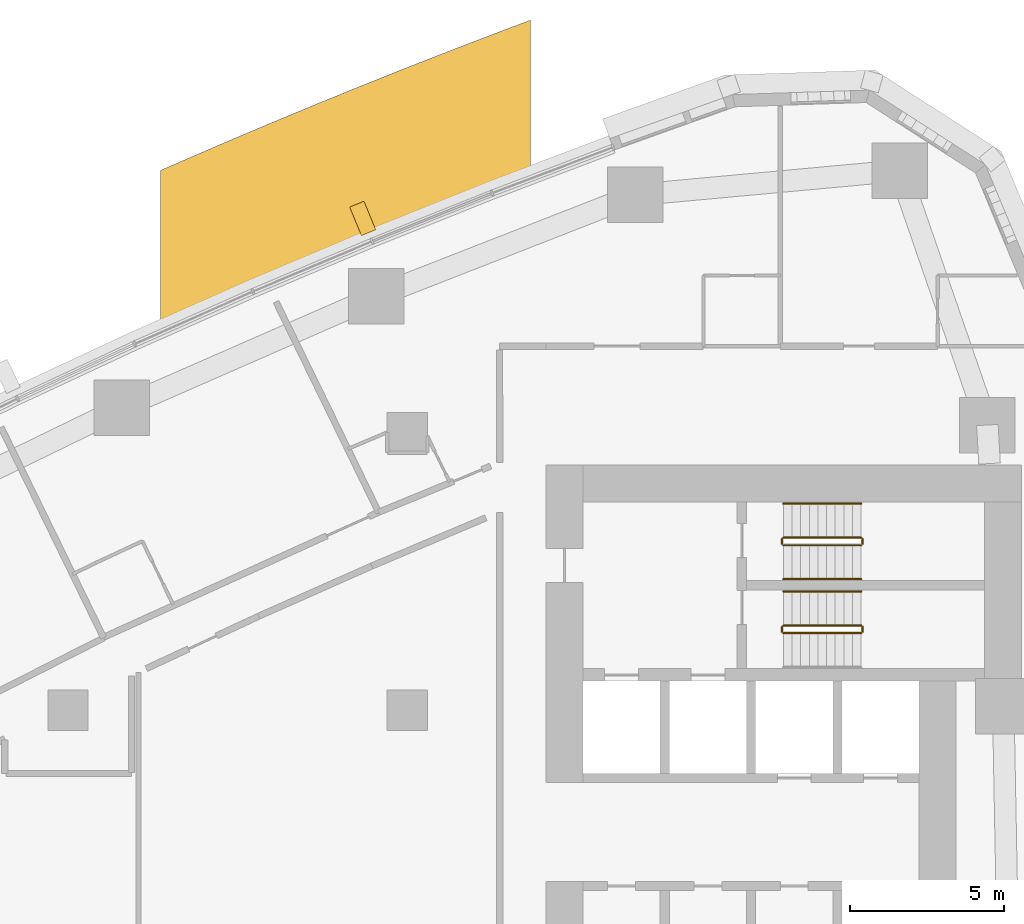
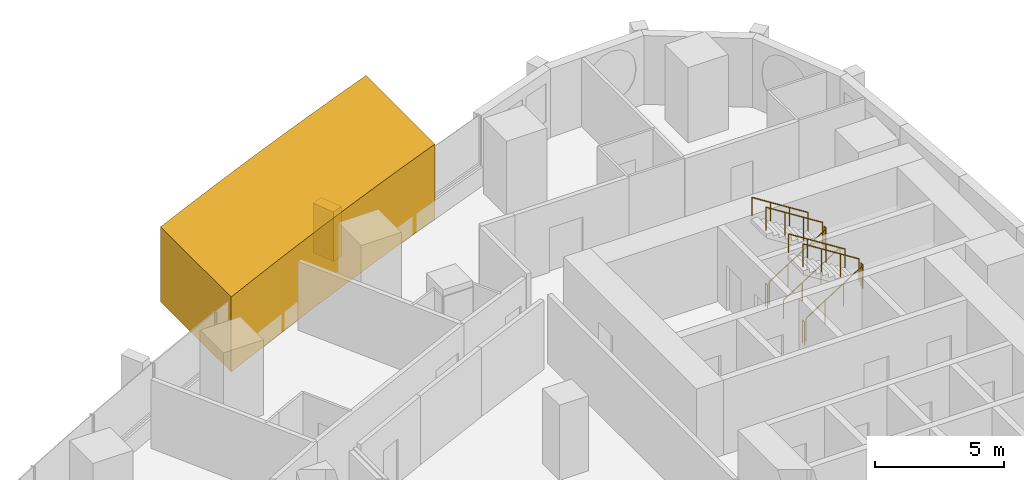
# One storey, part 18 of 19: 11 railings, 2 coverings.
"""IFC4 building model written with IfcOpenShell, lengths in metres."""

from ifc_helpers import new_model, si_unit, direction, frame, frame_2d, origin, origin_2d, place, context, subcontext, project, spatial, polyline, rectangle, circle, outline, extrude, material, layer, layer_set, type_object, element, save


model = new_model("IFC4")

# Units and contexts
model_context = context("Model", 3, precision=1e-05, world=origin(), true_north=direction((0.0, 1.0)))
body_context = subcontext(model_context, "Body", "Model", "MODEL_VIEW")
ifc_project = project(units=[si_unit("LENGTHUNIT", "METRE"), si_unit("AREAUNIT", "SQUARE_METRE"), si_unit("VOLUMEUNIT", "CUBIC_METRE"), si_unit("PLANEANGLEUNIT", "RADIAN"), si_unit("MASSUNIT", "GRAM", prefix="KILO")], contexts=[model_context])

# Site, building, storey
site_placement = place(None, origin())
site = spatial("IfcSite", under=ifc_project, at=site_placement, CompositionType="ELEMENT")
building_placement = place(site_placement, origin())
building = spatial("IfcBuilding", under=site, at=building_placement, Name="Ostrand Prow Hotel Tower", CompositionType="ELEMENT")
storey_placement = place(building_placement, frame((0.0, 0.0, 60.89990234375)))
storey = spatial("IfcBuildingStorey", under=building, at=storey_placement, Name="L13", CompositionType="ELEMENT", Elevation=60.89990234375)

# Coverings
ifc_material_1 = material(Name="Limestone cladding", Category="masonry")
ifc_layer_1 = layer(ifc_material_1, 5.0)
ifc_layer_set_1 = layer_set([ifc_layer_1], Name="Limestone cladding")
covering_type_1 = type_object("IfcCoveringType", Name="Portal jamb pilaster limestone", PredefinedType="CLADDING", material=ifc_layer_set_1)
covering_1_placement = place(storey_placement, origin())
element("IfcCovering", 1, at=covering_1_placement, inside=storey, type_object=covering_type_1, Name="Portal jamb NB L13", PredefinedType="CLADDING", context=body_context, shape_type="SweptSolid", body=[
    extrude(outline(polyline([(37.0, 21.037109375), (38.0, 21.484619140625), (39.0, 21.9267578125), (40.0, 22.363037109375), (41.0, 22.793701171875), (42.0, 23.218505859375), (43.0, 23.637939453125), (44.0, 24.051513671875), (45.0, 24.459716796875), (46.0, 24.862548828125), (47.0, 25.259765625), (48.0, 25.6513671875), (49.0, 26.03759765625), (49.0, 31.384521484375), (48.0, 31.0078125), (47.0, 30.62548828125), (46.0, 30.23828125), (45.0, 29.845703125), (44.0, 29.447509765625), (43.0, 29.044189453125), (42.0, 28.635498046875), (41.0, 28.22119140625), (40.0, 27.801513671875), (39.0, 27.376220703125), (38.0, 26.945556640625), (37.0, 26.50927734375), (37.0, 21.037109375)])), origin(), (0.0, 0.0, 1.0), 3.550048828125),
])
ifc_material_2 = material(Name="Limestone cladding", Category="masonry")
ifc_layer_2 = layer(ifc_material_2, 0.5)
ifc_layer_set_2 = layer_set([ifc_layer_2], Name="Limestone cladding")
covering_type_2 = type_object("IfcCoveringType", Name="Precast stone fin 500x900", PredefinedType="CLADDING", material=ifc_layer_set_2)
covering_2_placement = place(storey_placement, frame((43.74560546875, 24.487548828125, 0.900146484375), z_axis=(0.0, 0.0, 1.0), x_axis=(-0.380590179681, 0.924743810539, 0.0)))
element("IfcCovering", 2, at=covering_2_placement, inside=storey, type_object=covering_type_2, Name="Stone fin N 3", PredefinedType="CLADDING", context=body_context, shape_type="SweptSolid", body=[
    extrude(rectangle(XDim=1.0, YDim=0.5, at=frame_2d((0.5, 0.0))), origin(), (0.0, 0.0, 1.0), 2.349853515625),
])

# Railings
ifc_material_3 = material(Name="Painted steel", Category="steel")
railing_type_1 = type_object("IfcRailingType", Name="Stair guard 1100", PredefinedType="GUARDRAIL", material=ifc_material_3)
railing_1_placement = place(storey_placement, frame((57.199951171875, 11.5, 0.177490234375)))
element("IfcRailing", 3, at=railing_1_placement, inside=storey, type_object=railing_type_1, Name="L13 ST1C stair guard 1", PredefinedType="GUARDRAIL", context=body_context, shape_type="SweptSolid", body=[
    extrude(circle(Radius=0.02392578125, at=origin_2d()), frame((0.0, 0.0, 1.076171875), z_axis=(0.84456994832, 0.0, 0.535445237532), x_axis=(0.0, 1.0, 0.0)), (0.0, 0.0, 1.0), 2.98388671875),
    extrude(circle(Radius=0.02099609375, at=origin_2d()), origin(), (0.0, 0.0, 1.0), 1.052001953125),
    extrude(circle(Radius=0.02099609375, at=origin_2d()), frame((0.840087890625, 0.0, 0.532470703125)), (0.0, 0.0, 1.0), 1.052001953125),
    extrude(circle(Radius=0.02099609375, at=origin_2d()), frame((1.679931640625, 0.0, 1.065185546875)), (0.0, 0.0, 1.0), 1.052001953125),
    extrude(circle(Radius=0.02099609375, at=origin_2d()), frame((2.52001953125, 0.0, 1.59765625)), (0.0, 0.0, 1.0), 1.052001953125),
])
railing_2_placement = place(storey_placement, frame((59.77001953125, 11.550048828125, 1.775146484375)))
element("IfcRailing", 4, at=railing_2_placement, inside=storey, type_object=railing_type_1, Name="L13 ST1C stair guard 2", PredefinedType="GUARDRAIL", context=body_context, shape_type="SweptSolid", body=[
    extrude(circle(Radius=0.02392578125, at=origin_2d()), frame((0.0, 0.0, 1.076171875), z_axis=(0.0, 1.0, 0.0), x_axis=(-1.0, 0.0, 0.0)), (0.0, 0.0, 1.0), 0.14990234375),
    extrude(circle(Radius=0.02099609375, at=origin_2d()), origin(), (0.0, 0.0, 1.0), 1.052001953125),
    extrude(circle(Radius=0.02099609375, at=origin_2d()), frame((0.0, 0.14990234375, 0.0)), (0.0, 0.0, 1.0), 1.052001953125),
])
railing_3_placement = place(storey_placement, frame((59.719970703125, 11.75, 1.95263671875)))
element("IfcRailing", 5, at=railing_3_placement, inside=storey, type_object=railing_type_1, Name="L13 ST1C stair guard 3", PredefinedType="GUARDRAIL", context=body_context, shape_type="SweptSolid", body=[
    extrude(circle(Radius=0.02392578125, at=origin_2d()), frame((0.0, 0.0, 1.076171875), z_axis=(-0.84460694969, 0.0, 0.535386869969), x_axis=(0.0, -1.0, 0.0)), (0.0, 0.0, 1.0), 2.983642578125),
    extrude(circle(Radius=0.02099609375, at=origin_2d()), origin(), (0.0, 0.0, 1.0), 1.052001953125),
    extrude(circle(Radius=0.02099609375, at=origin_2d()), frame((-0.840087890625, 0.0, 0.532470703125)), (0.0, 0.0, 1.0), 1.052001953125),
    extrude(circle(Radius=0.02099609375, at=origin_2d()), frame((-1.679931640625, 0.0, 1.06494140625)), (0.0, 0.0, 1.0), 1.052001953125),
    extrude(circle(Radius=0.02099609375, at=origin_2d()), frame((-2.52001953125, 0.0, 1.597412109375)), (0.0, 0.0, 1.0), 1.052001953125),
])
railing_4_placement = place(storey_placement, frame((57.14990234375, 11.550048828125, 0.0)))
element("IfcRailing", 6, at=railing_4_placement, inside=storey, type_object=railing_type_1, Name="L13 ST1C stair guard 4", PredefinedType="GUARDRAIL", context=body_context, shape_type="SweptSolid", body=[
    extrude(circle(Radius=0.02392578125, at=origin_2d()), frame((0.0, 0.0, 1.076171875), z_axis=(0.0, 1.0, 0.0), x_axis=(-1.0, 0.0, 0.0)), (0.0, 0.0, 1.0), 0.14990234375),
    extrude(circle(Radius=0.02099609375, at=origin_2d()), origin(), (0.0, 0.0, 1.0), 1.052001953125),
    extrude(circle(Radius=0.02099609375, at=origin_2d()), frame((0.0, 0.14990234375, 0.0)), (0.0, 0.0, 1.0), 1.052001953125),
])
railing_5_placement = place(storey_placement, frame((57.199951171875, 14.35009765625, 0.177490234375)))
element("IfcRailing", 7, at=railing_5_placement, inside=storey, type_object=railing_type_1, Name="L13 ST3C stair guard 1", PredefinedType="GUARDRAIL", context=body_context, shape_type="SweptSolid", body=[
    extrude(circle(Radius=0.02392578125, at=origin_2d()), frame((0.0, 0.0, 1.076171875), z_axis=(0.84456994832, 0.0, 0.535445237532), x_axis=(0.0, 1.0, 0.0)), (0.0, 0.0, 1.0), 2.98388671875),
    extrude(circle(Radius=0.02099609375, at=origin_2d()), origin(), (0.0, 0.0, 1.0), 1.052001953125),
    extrude(circle(Radius=0.02099609375, at=origin_2d()), frame((0.840087890625, 0.0, 0.532470703125)), (0.0, 0.0, 1.0), 1.052001953125),
    extrude(circle(Radius=0.02099609375, at=origin_2d()), frame((1.679931640625, 0.0, 1.065185546875)), (0.0, 0.0, 1.0), 1.052001953125),
    extrude(circle(Radius=0.02099609375, at=origin_2d()), frame((2.52001953125, 0.0, 1.59765625)), (0.0, 0.0, 1.0), 1.052001953125),
])
railing_6_placement = place(storey_placement, frame((59.77001953125, 14.39990234375, 1.775146484375)))
element("IfcRailing", 8, at=railing_6_placement, inside=storey, type_object=railing_type_1, Name="L13 ST3C stair guard 2", PredefinedType="GUARDRAIL", context=body_context, shape_type="SweptSolid", body=[
    extrude(circle(Radius=0.02392578125, at=origin_2d()), frame((0.0, 0.0, 1.076171875), z_axis=(0.0, 1.0, 0.0), x_axis=(-1.0, 0.0, 0.0)), (0.0, 0.0, 1.0), 0.150146484375),
    extrude(circle(Radius=0.02099609375, at=origin_2d()), origin(), (0.0, 0.0, 1.0), 1.052001953125),
    extrude(circle(Radius=0.02099609375, at=origin_2d()), frame((0.0, 0.150146484375, 0.0)), (0.0, 0.0, 1.0), 1.052001953125),
])
railing_7_placement = place(storey_placement, frame((59.719970703125, 14.60009765625, 1.95263671875)))
element("IfcRailing", 9, at=railing_7_placement, inside=storey, type_object=railing_type_1, Name="L13 ST3C stair guard 3", PredefinedType="GUARDRAIL", context=body_context, shape_type="SweptSolid", body=[
    extrude(circle(Radius=0.02392578125, at=origin_2d()), frame((0.0, 0.0, 1.076171875), z_axis=(-0.84460694969, 0.0, 0.535386869969), x_axis=(0.0, -1.0, 0.0)), (0.0, 0.0, 1.0), 2.983642578125),
    extrude(circle(Radius=0.02099609375, at=origin_2d()), origin(), (0.0, 0.0, 1.0), 1.052001953125),
    extrude(circle(Radius=0.02099609375, at=origin_2d()), frame((-0.840087890625, 0.0, 0.532470703125)), (0.0, 0.0, 1.0), 1.052001953125),
    extrude(circle(Radius=0.02099609375, at=origin_2d()), frame((-1.679931640625, 0.0, 1.06494140625)), (0.0, 0.0, 1.0), 1.052001953125),
    extrude(circle(Radius=0.02099609375, at=origin_2d()), frame((-2.52001953125, 0.0, 1.597412109375)), (0.0, 0.0, 1.0), 1.052001953125),
])
railing_8_placement = place(storey_placement, frame((57.14990234375, 14.39990234375, 0.0)))
element("IfcRailing", 10, at=railing_8_placement, inside=storey, type_object=railing_type_1, Name="L13 ST3C stair guard 4", PredefinedType="GUARDRAIL", context=body_context, shape_type="SweptSolid", body=[
    extrude(circle(Radius=0.02392578125, at=origin_2d()), frame((0.0, 0.0, 1.076171875), z_axis=(0.0, 1.0, 0.0), x_axis=(-1.0, 0.0, 0.0)), (0.0, 0.0, 1.0), 0.150146484375),
    extrude(circle(Radius=0.02099609375, at=origin_2d()), origin(), (0.0, 0.0, 1.0), 1.052001953125),
    extrude(circle(Radius=0.02099609375, at=origin_2d()), frame((0.0, 0.150146484375, 0.0)), (0.0, 0.0, 1.0), 1.052001953125),
])
ifc_material_4 = material(Name="Stainless steel", Category="steel")
railing_type_2 = type_object("IfcRailingType", Name="Stair handrail 900", PredefinedType="HANDRAIL", material=ifc_material_4)
railing_9_placement = place(storey_placement, frame((59.719970703125, 12.85009765625, 1.95263671875)))
element("IfcRailing", 11, at=railing_9_placement, inside=storey, type_object=railing_type_2, Name="L13 ST1C stair handrail 2", PredefinedType="HANDRAIL", context=body_context, shape_type="SweptSolid", body=[
    extrude(circle(Radius=0.02392578125, at=origin_2d()), frame((0.0, 0.0, 0.8759765625), z_axis=(-0.84460694969, 0.0, 0.535386869969), x_axis=(0.0, -1.0, 0.0)), (0.0, 0.0, 1.0), 2.983642578125),
    extrude(circle(Radius=0.02099609375, at=origin_2d()), origin(), (0.0, 0.0, 1.0), 0.851806640625),
    extrude(circle(Radius=0.02099609375, at=origin_2d()), frame((-0.840087890625, 0.0, 0.532470703125)), (0.0, 0.0, 1.0), 0.851806640625),
    extrude(circle(Radius=0.02099609375, at=origin_2d()), frame((-1.679931640625, 0.0, 1.06494140625)), (0.0, 0.0, 1.0), 0.851806640625),
    extrude(circle(Radius=0.02099609375, at=origin_2d()), frame((-2.52001953125, 0.0, 1.597412109375)), (0.0, 0.0, 1.0), 0.851806640625),
])
railing_10_placement = place(storey_placement, frame((57.199951171875, 13.25, 0.177490234375)))
element("IfcRailing", 12, at=railing_10_placement, inside=storey, type_object=railing_type_2, Name="L13 ST3C stair handrail 1", PredefinedType="HANDRAIL", context=body_context, shape_type="SweptSolid", body=[
    extrude(circle(Radius=0.02392578125, at=origin_2d()), frame((0.0, 0.0, 0.8759765625), z_axis=(0.84456994832, 0.0, 0.535445237532), x_axis=(0.0, 1.0, 0.0)), (0.0, 0.0, 1.0), 2.98388671875),
    extrude(circle(Radius=0.02099609375, at=origin_2d()), origin(), (0.0, 0.0, 1.0), 0.851806640625),
    extrude(circle(Radius=0.02099609375, at=origin_2d()), frame((0.840087890625, 0.0, 0.532470703125)), (0.0, 0.0, 1.0), 0.851806640625),
    extrude(circle(Radius=0.02099609375, at=origin_2d()), frame((1.679931640625, 0.0, 1.065185546875)), (0.0, 0.0, 1.0), 0.851806640625),
    extrude(circle(Radius=0.02099609375, at=origin_2d()), frame((2.52001953125, 0.0, 1.59765625)), (0.0, 0.0, 1.0), 0.851806640625),
])
railing_11_placement = place(storey_placement, frame((59.719970703125, 15.699951171875, 1.95263671875)))
element("IfcRailing", 13, at=railing_11_placement, inside=storey, type_object=railing_type_2, Name="L13 ST3C stair handrail 2", PredefinedType="HANDRAIL", context=body_context, shape_type="SweptSolid", body=[
    extrude(circle(Radius=0.02392578125, at=origin_2d()), frame((0.0, 0.0, 0.8759765625), z_axis=(-0.84460694969, 0.0, 0.535386869969), x_axis=(0.0, -1.0, 0.0)), (0.0, 0.0, 1.0), 2.983642578125),
    extrude(circle(Radius=0.02099609375, at=origin_2d()), origin(), (0.0, 0.0, 1.0), 0.851806640625),
    extrude(circle(Radius=0.02099609375, at=origin_2d()), frame((-0.840087890625, 0.0, 0.532470703125)), (0.0, 0.0, 1.0), 0.851806640625),
    extrude(circle(Radius=0.02099609375, at=origin_2d()), frame((-1.679931640625, 0.0, 1.06494140625)), (0.0, 0.0, 1.0), 0.851806640625),
    extrude(circle(Radius=0.02099609375, at=origin_2d()), frame((-2.52001953125, 0.0, 1.597412109375)), (0.0, 0.0, 1.0), 0.851806640625),
])

save(model, "model.ifc")
